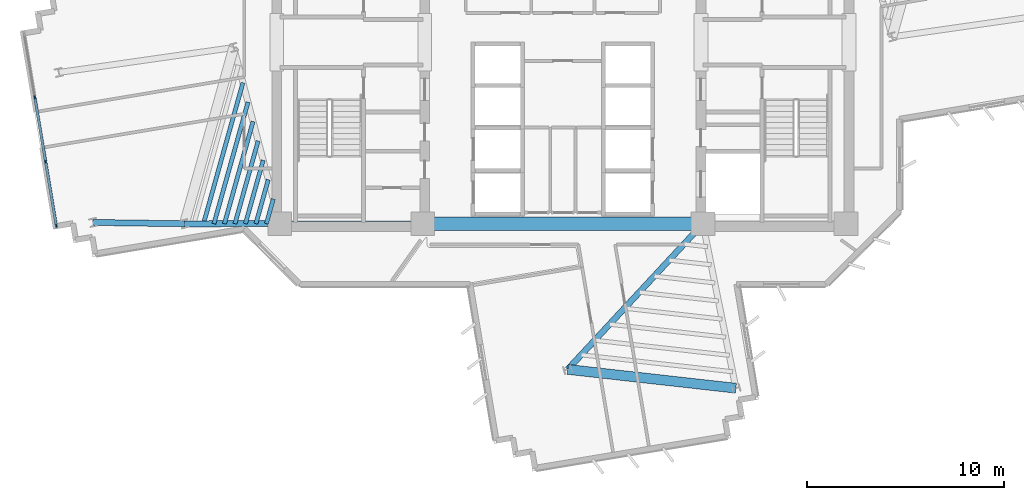
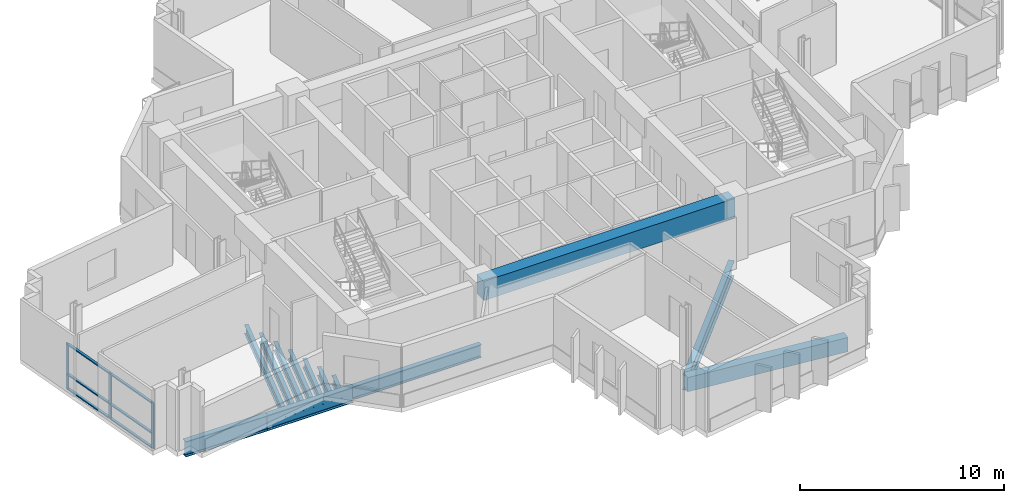
# One storey, part 2 of 15: 13 beams, 9 members, 1 element without a shape of its own.
"""IFC4 building model written with IfcOpenShell, lengths in metres."""

from ifc_helpers import new_model, si_unit, direction, frame, origin, origin_2d, place, context, subcontext, project, spatial, rectangle, i_section, extrude, source, transform, mapped, material, layer, layer_set, material_profile, profile_set, type_object, element, aggregate, save


model = new_model("IFC4")

# Units and contexts
model_context = context("Model", 3, precision=1e-05, world=origin(), true_north=direction((0.0, 1.0)))
body_context = subcontext(model_context, "Body", "Model", "MODEL_VIEW")
ifc_project = project(units=[si_unit("LENGTHUNIT", "METRE"), si_unit("AREAUNIT", "SQUARE_METRE"), si_unit("VOLUMEUNIT", "CUBIC_METRE"), si_unit("PLANEANGLEUNIT", "RADIAN"), si_unit("MASSUNIT", "GRAM", prefix="KILO")], contexts=[model_context])

# Site, building, storey
site_placement = place(None, origin())
site = spatial("IfcSite", under=ifc_project, at=site_placement, CompositionType="ELEMENT")
building_placement = place(site_placement, origin())
building = spatial("IfcBuilding", under=site, at=building_placement, Name="Zahravan Cultural Tower", CompositionType="ELEMENT")
storey_placement = place(building_placement, frame((0.0, 0.0, 135.60009765625)))
storey = spatial("IfcBuildingStorey", under=building, at=storey_placement, Name="L30", CompositionType="ELEMENT", Elevation=135.60009765625)

# Beams
ifc_material_1 = material(Name="Concrete C50/60", Category="concrete")
ifc_material_profile_1 = material_profile(ifc_material_1, rectangle(XDim=0.699951171875, YDim=1.14990234375, at=origin_2d()), Name="RC700X1150")
ifc_profile_set_1 = profile_set([ifc_material_profile_1], Name="Concrete C50/60")
beam_type_1 = type_object("IfcBeamType", Name="BM-LN-RC700X1150", PredefinedType="LINTEL", material=ifc_profile_set_1)
shared_shape_1 = source(origin(), body_context, "Body", "SweptSolid", [
    extrude(rectangle(XDim=0.699951171875, YDim=1.14990234375, at=origin_2d()), origin(), (0.0, 0.0, 1.0), 14.2001953125),
])
beam_1_placement = place(storey_placement, frame((28.89990234375, 17.800048828125, 3.044921875), z_axis=(1.0, 0.0, 0.0), x_axis=(0.0, 1.0, 0.0)))
element("IfcBeam", 1, at=beam_1_placement, inside=storey, type_object=beam_type_1, Name="L30 Beam LN-L30-S", PredefinedType="LINTEL", context=body_context, shape_type="MappedRepresentation", body=[
    mapped(shared_shape_1, transform((0.0, 0.0, 0.0), x_axis=(1.0, 0.0, 0.0), y_axis=(0.0, 1.0, 0.0), z_axis=(0.0, 0.0, 1.0), scale=1.0)),
])
ifc_material_2 = material(Name="Steel ASTM A992 Grade 50", Category="steel")
ifc_material_profile_2 = material_profile(ifc_material_2, i_section(OverallWidth=0.26611328125, OverallDepth=0.780029296875, WebThickness=0.0166015625, FlangeThickness=0.030029296875, FilletRadius=0.01904296875, at=origin_2d()), Name="W30X148")
ifc_profile_set_2 = profile_set([ifc_material_profile_2], Name="Steel ASTM A992 Grade 50")
beam_type_2 = type_object("IfcBeamType", Name="BM-G-W30X148", PredefinedType="BEAM", material=ifc_profile_set_2)
shared_shape_2 = source(origin(), body_context, "Body", "SweptSolid", [
    extrude(i_section(OverallWidth=0.26611328125, OverallDepth=0.780029296875, WebThickness=0.0166015625, FlangeThickness=0.030029296875, FilletRadius=0.01904296875, at=origin_2d()), origin(), (0.0, 0.0, 1.0), 7.25),
])
beam_2_placement = place(storey_placement, frame((21.64990234375, 17.800048828125, -0.670166015625), z_axis=(1.0, 0.0, 0.0), x_axis=(0.0, 1.0, 0.0)))
element("IfcBeam", 2, at=beam_2_placement, inside=storey, type_object=beam_type_2, Name="L30 Beam BG-L30-01", PredefinedType="BEAM", context=body_context, shape_type="MappedRepresentation", body=[
    mapped(shared_shape_2, transform((0.0, 0.0, 0.0), x_axis=(1.0, 0.0, 0.0), y_axis=(0.0, 1.0, 0.0), z_axis=(0.0, 0.0, 1.0), scale=1.0)),
])
ifc_material_profile_3 = material_profile(ifc_material_2, i_section(OverallWidth=0.304931640625, OverallDepth=0.9189453125, WebThickness=0.017333984375, FlangeThickness=0.02783203125, FilletRadius=0.02392578125, at=origin_2d()), Name="W36X170")
ifc_profile_set_3 = profile_set([ifc_material_profile_3], Name="Steel ASTM A992 Grade 50")
beam_type_3 = type_object("IfcBeamType", Name="BM-G-W36X170", PredefinedType="BEAM", material=ifc_profile_set_3)
shared_shape_3 = source(origin(), body_context, "Body", "SweptSolid", [
    extrude(i_section(OverallWidth=0.304931640625, OverallDepth=0.9189453125, WebThickness=0.017333984375, FlangeThickness=0.02783203125, FilletRadius=0.02392578125, at=origin_2d()), origin(), (0.0, 0.0, 1.0), 4.834716796875),
])
beam_3_placement = place(storey_placement, frame((21.64990234375, 17.800048828125, -0.739501953125), z_axis=(-0.99999920313, -0.001262433979, 0.0), x_axis=(0.001262433979, -0.99999920313, 0.0)))
element("IfcBeam", 3, at=beam_3_placement, inside=storey, type_object=beam_type_3, Name="L30 Beam BG-L30-08", PredefinedType="BEAM", context=body_context, shape_type="MappedRepresentation", body=[
    mapped(shared_shape_3, transform((0.0, 0.0, 0.0), x_axis=(1.0, 0.0, 0.0), y_axis=(0.0, 1.0, 0.0), z_axis=(0.0, 0.0, 1.0), scale=1.0)),
])
shared_shape_4 = source(origin(), body_context, "Body", "SweptSolid", [
    extrude(i_section(OverallWidth=0.304931640625, OverallDepth=0.9189453125, WebThickness=0.017333984375, FlangeThickness=0.02783203125, FilletRadius=0.02392578125, at=origin_2d()), origin(), (0.0, 0.0, 1.0), 10.077880859375),
])
beam_4_placement = place(storey_placement, frame((43.10009765625, 17.800048828125, -0.739501953125), z_axis=(-0.680170435587, -0.733054007938, 0.0), x_axis=(0.733054007938, -0.680170435587, 0.0)))
element("IfcBeam", 4, at=beam_4_placement, inside=storey, type_object=beam_type_3, Name="L30 Beam BG-L30-09", PredefinedType="BEAM", context=body_context, shape_type="MappedRepresentation", body=[
    mapped(shared_shape_4, transform((0.0, 0.0, 0.0), x_axis=(1.0, 0.0, 0.0), y_axis=(0.0, 1.0, 0.0), z_axis=(0.0, 0.0, 1.0), scale=1.0)),
])
shared_shape_5 = source(origin(), body_context, "Body", "SweptSolid", [
    extrude(i_section(OverallWidth=0.304931640625, OverallDepth=0.9189453125, WebThickness=0.017333984375, FlangeThickness=0.02783203125, FilletRadius=0.02392578125, at=origin_2d()), origin(), (0.0, 0.0, 1.0), 4.622314453125),
])
beam_5_placement = place(storey_placement, frame((16.815185546875, 17.7939453125, -0.739501953125), z_axis=(-0.999889070044, 0.014894549562, 0.0), x_axis=(-0.014894549562, -0.999889070044, 0.0)))
element("IfcBeam", 5, at=beam_5_placement, inside=storey, type_object=beam_type_3, Name="L30 Beam BG-L30-18", PredefinedType="BEAM", context=body_context, shape_type="MappedRepresentation", body=[
    mapped(shared_shape_5, transform((0.0, 0.0, 0.0), x_axis=(1.0, 0.0, 0.0), y_axis=(0.0, 1.0, 0.0), z_axis=(0.0, 0.0, 1.0), scale=1.0)),
])
ifc_material_profile_4 = material_profile(ifc_material_1, rectangle(XDim=0.5, YDim=0.85009765625, at=origin_2d()), Name="RC500X850")
ifc_profile_set_4 = profile_set([ifc_material_profile_4], Name="Concrete C50/60")
beam_type_4 = type_object("IfcBeamType", Name="BM-SP-RC500X850", PredefinedType="SPANDREL", material=ifc_profile_set_4)
shared_shape_6 = source(origin(), body_context, "Body", "SweptSolid", [
    extrude(rectangle(XDim=0.5, YDim=0.85009765625, at=origin_2d()), origin(), (0.0, 0.0, 1.0), 8.579833984375),
])
beam_6_placement = place(storey_placement, frame((36.245361328125, 10.412353515625, -0.705078125), z_axis=(0.9938040105, -0.11114669907, 0.0), x_axis=(0.11114669907, 0.9938040105, 0.0)))
element("IfcBeam", 6, at=beam_6_placement, inside=storey, type_object=beam_type_4, Name="L30 Beam SP-L30-20", PredefinedType="SPANDREL", context=body_context, shape_type="MappedRepresentation", body=[
    mapped(shared_shape_6, transform((0.0, 0.0, 0.0), x_axis=(1.0, 0.0, 0.0), y_axis=(0.0, 1.0, 0.0), z_axis=(0.0, 0.0, 1.0), scale=1.0)),
])
ifc_material_profile_5 = material_profile(ifc_material_2, i_section(OverallWidth=0.2099609375, OverallDepth=0.532958984375, WebThickness=0.01025390625, FlangeThickness=0.015625, FilletRadius=0.013916015625, at=origin_2d()), Name="W21X62")
ifc_profile_set_5 = profile_set([ifc_material_profile_5], Name="Steel ASTM A992 Grade 50")
beam_type_5 = type_object("IfcBeamType", Name="BM-J-W21X62", PredefinedType="JOIST", material=ifc_profile_set_5)
shared_shape_7 = source(origin(), body_context, "Body", "SweptSolid", [
    extrude(i_section(OverallWidth=0.2099609375, OverallDepth=0.532958984375, WebThickness=0.01025390625, FlangeThickness=0.015625, FilletRadius=0.013916015625, at=origin_2d()), origin(), (0.0, 0.0, 1.0), 1.299072265625),
])
beam_7_placement = place(storey_placement, frame((21.3232421875, 19.050048828125, -0.546630859375), z_axis=(-0.269504444708, -0.962999145525, 0.0), x_axis=(0.962999145525, -0.269504444708, 0.0)))
element("IfcBeam", 7, at=beam_7_placement, inside=storey, type_object=beam_type_5, Name="L30 Beam BJ-L30-24", PredefinedType="JOIST", context=body_context, shape_type="MappedRepresentation", body=[
    mapped(shared_shape_7, transform((0.0, 0.0, 0.0), x_axis=(1.0, 0.0, 0.0), y_axis=(0.0, 1.0, 0.0), z_axis=(0.0, 0.0, 1.0), scale=1.0)),
])
shared_shape_8 = source(origin(), body_context, "Body", "SweptSolid", [
    extrude(i_section(OverallWidth=0.2099609375, OverallDepth=0.532958984375, WebThickness=0.01025390625, FlangeThickness=0.015625, FilletRadius=0.013916015625, at=origin_2d()), origin(), (0.0, 0.0, 1.0), 2.3193359375),
])
beam_8_placement = place(storey_placement, frame((21.06640625, 20.0322265625, -0.546630859375), z_axis=(-0.269462038626, -0.963011012263, 0.0), x_axis=(0.963011012263, -0.269462038626, 0.0)))
element("IfcBeam", 8, at=beam_8_placement, inside=storey, type_object=beam_type_5, Name="L30 Beam BJ-L30-25", PredefinedType="JOIST", context=body_context, shape_type="MappedRepresentation", body=[
    mapped(shared_shape_8, transform((0.0, 0.0, 0.0), x_axis=(1.0, 0.0, 0.0), y_axis=(0.0, 1.0, 0.0), z_axis=(0.0, 0.0, 1.0), scale=1.0)),
])
shared_shape_9 = source(origin(), body_context, "Body", "SweptSolid", [
    extrude(i_section(OverallWidth=0.2099609375, OverallDepth=0.532958984375, WebThickness=0.01025390625, FlangeThickness=0.015625, FilletRadius=0.013916015625, at=origin_2d()), origin(), (0.0, 0.0, 1.0), 3.340087890625),
])
beam_9_placement = place(storey_placement, frame((20.809814453125, 21.014404296875, -0.546630859375), z_axis=(-0.269562146951, -0.962982995141, 0.0), x_axis=(0.962982995141, -0.269562146951, 0.0)))
element("IfcBeam", 9, at=beam_9_placement, inside=storey, type_object=beam_type_5, Name="L30 Beam BJ-L30-26", PredefinedType="JOIST", context=body_context, shape_type="MappedRepresentation", body=[
    mapped(shared_shape_9, transform((0.0, 0.0, 0.0), x_axis=(1.0, 0.0, 0.0), y_axis=(0.0, 1.0, 0.0), z_axis=(0.0, 0.0, 1.0), scale=1.0)),
])
shared_shape_10 = source(origin(), body_context, "Body", "SweptSolid", [
    extrude(i_section(OverallWidth=0.2099609375, OverallDepth=0.532958984375, WebThickness=0.01025390625, FlangeThickness=0.015625, FilletRadius=0.013916015625, at=origin_2d()), origin(), (0.0, 0.0, 1.0), 4.36083984375),
])
beam_10_placement = place(storey_placement, frame((20.552978515625, 21.99658203125, -0.546630859375), z_axis=(-0.269511557673, -0.962997154866, 0.0), x_axis=(0.962997154866, -0.269511557673, 0.0)))
element("IfcBeam", 10, at=beam_10_placement, inside=storey, type_object=beam_type_5, Name="L30 Beam BJ-L30-27", PredefinedType="JOIST", context=body_context, shape_type="MappedRepresentation", body=[
    mapped(shared_shape_10, transform((0.0, 0.0, 0.0), x_axis=(1.0, 0.0, 0.0), y_axis=(0.0, 1.0, 0.0), z_axis=(0.0, 0.0, 1.0), scale=1.0)),
])
shared_shape_11 = source(origin(), body_context, "Body", "SweptSolid", [
    extrude(i_section(OverallWidth=0.2099609375, OverallDepth=0.532958984375, WebThickness=0.01025390625, FlangeThickness=0.015625, FilletRadius=0.013916015625, at=origin_2d()), origin(), (0.0, 0.0, 1.0), 5.3818359375),
])
beam_11_placement = place(storey_placement, frame((20.296142578125, 22.97900390625, -0.546630859375), z_axis=(-0.269510454638, -0.962997463569, 0.0), x_axis=(0.962997463569, -0.269510454638, 0.0)))
element("IfcBeam", 11, at=beam_11_placement, inside=storey, type_object=beam_type_5, Name="L30 Beam BJ-L30-28", PredefinedType="JOIST", context=body_context, shape_type="MappedRepresentation", body=[
    mapped(shared_shape_11, transform((0.0, 0.0, 0.0), x_axis=(1.0, 0.0, 0.0), y_axis=(0.0, 1.0, 0.0), z_axis=(0.0, 0.0, 1.0), scale=1.0)),
])
shared_shape_12 = source(origin(), body_context, "Body", "SweptSolid", [
    extrude(i_section(OverallWidth=0.2099609375, OverallDepth=0.532958984375, WebThickness=0.01025390625, FlangeThickness=0.015625, FilletRadius=0.013916015625, at=origin_2d()), origin(), (0.0, 0.0, 1.0), 6.402099609375),
])
beam_12_placement = place(storey_placement, frame((20.039306640625, 23.961181640625, -0.546630859375), z_axis=(-0.269494133533, -0.963002031146, 0.0), x_axis=(0.963002031146, -0.269494133533, 0.0)))
element("IfcBeam", 12, at=beam_12_placement, inside=storey, type_object=beam_type_5, Name="L30 Beam BJ-L30-29", PredefinedType="JOIST", context=body_context, shape_type="MappedRepresentation", body=[
    mapped(shared_shape_12, transform((0.0, 0.0, 0.0), x_axis=(1.0, 0.0, 0.0), y_axis=(0.0, 1.0, 0.0), z_axis=(0.0, 0.0, 1.0), scale=1.0)),
])
shared_shape_13 = source(origin(), body_context, "Body", "SweptSolid", [
    extrude(i_section(OverallWidth=0.2099609375, OverallDepth=0.532958984375, WebThickness=0.01025390625, FlangeThickness=0.015625, FilletRadius=0.013916015625, at=origin_2d()), origin(), (0.0, 0.0, 1.0), 7.4228515625),
])
beam_13_placement = place(storey_placement, frame((19.78271484375, 24.943359375, -0.546630859375), z_axis=(-0.269504266128, -0.962999195503, 0.0), x_axis=(0.962999195503, -0.269504266128, 0.0)))
element("IfcBeam", 13, at=beam_13_placement, inside=storey, type_object=beam_type_5, Name="L30 Beam BJ-L30-30", PredefinedType="JOIST", context=body_context, shape_type="MappedRepresentation", body=[
    mapped(shared_shape_13, transform((0.0, 0.0, 0.0), x_axis=(1.0, 0.0, 0.0), y_axis=(0.0, 1.0, 0.0), z_axis=(0.0, 0.0, 1.0), scale=1.0)),
])

# Curtain wall, members
ifc_material_3 = material(Name="Anodised bronze-aluminium mullion", Category="aluminium")
ifc_layer = layer(ifc_material_3, 0.179931640625)
ifc_layer_set = layer_set([ifc_layer], Name="Anodised bronze-aluminium mullion")
curtain_wall_type = type_object("IfcCurtainWallType", Name="CW-SYS-3", PredefinedType="USERDEFINED", material=ifc_layer_set)
curtain_wall_placement = place(storey_placement, origin())
curtain_wall = element("IfcCurtainWall", 14, at=curtain_wall_placement, inside=storey, type_object=curtain_wall_type, Name="L30 Recessed Curtain Wall CW-3.2", ObjectType="RECESSED GLAZING", PredefinedType="USERDEFINED")
ifc_material_profile_6 = material_profile(ifc_material_3, rectangle(XDim=0.070068359375, YDim=0.179931640625, at=origin_2d()), Name="AL-M70X180")
ifc_profile_set_6 = profile_set([ifc_material_profile_6], Name="Anodised bronze-aluminium mullion")
member_type_1 = type_object("IfcMemberType", Name="CWM-CW-3", PredefinedType="MULLION", material=ifc_profile_set_6)
shared_shape_14 = source(origin(), body_context, "Body", "SweptSolid", [
    extrude(rectangle(XDim=0.070068359375, YDim=0.179931640625, at=origin_2d()), origin(), (0.0, 0.0, 1.0), 2.739990234375),
])
member_1_placement = place(storey_placement, frame((10.3212890625, 17.70947265625, 0.0), z_axis=(0.0, 0.0, 1.0), x_axis=(-0.986285000163, -0.165051199491, 0.0)))
member_1 = element("IfcMember", 15, at=member_1_placement, type_object=member_type_1, Name="CW-3 mullion 1", PredefinedType="MULLION", context=body_context, shape_type="MappedRepresentation", body=[
    mapped(shared_shape_14, transform((0.0, 0.0, 0.0), x_axis=(1.0, 0.0, 0.0), y_axis=(0.0, 1.0, 0.0), z_axis=(0.0, 0.0, 1.0), scale=1.0)),
])
member_2_placement = place(storey_placement, frame((9.78125, 20.936279296875, 0.0), z_axis=(0.0, 0.0, 1.0), x_axis=(-0.986285000163, -0.165051199491, 0.0)))
member_2 = element("IfcMember", 16, at=member_2_placement, type_object=member_type_1, Name="CW-3 mullion 2", PredefinedType="MULLION", context=body_context, shape_type="MappedRepresentation", body=[
    mapped(shared_shape_14, transform((0.0, 0.0, 0.0), x_axis=(1.0, 0.0, 0.0), y_axis=(0.0, 1.0, 0.0), z_axis=(0.0, 0.0, 1.0), scale=1.0)),
])
member_3_placement = place(storey_placement, frame((9.2353515625, 24.197509765625, 0.0), z_axis=(0.0, 0.0, 1.0), x_axis=(-0.986285000163, -0.165051199491, 0.0)))
member_3 = element("IfcMember", 17, at=member_3_placement, type_object=member_type_1, Name="CW-3 mullion 3", PredefinedType="MULLION", context=body_context, shape_type="MappedRepresentation", body=[
    mapped(shared_shape_14, transform((0.0, 0.0, 0.0), x_axis=(1.0, 0.0, 0.0), y_axis=(0.0, 1.0, 0.0), z_axis=(0.0, 0.0, 1.0), scale=1.0)),
])
ifc_material_profile_7 = material_profile(ifc_material_3, rectangle(XDim=0.139892578125, YDim=0.070068359375, at=origin_2d()), Name="AL-T70X140")
ifc_profile_set_7 = profile_set([ifc_material_profile_7], Name="Anodised bronze-aluminium mullion")
member_type_2 = type_object("IfcMemberType", Name="CWT-CW-3", PredefinedType="USERDEFINED", material=ifc_profile_set_7)
shared_shape_15 = source(origin(), body_context, "Body", "SweptSolid", [
    extrude(rectangle(XDim=0.139892578125, YDim=0.070068359375, at=origin_2d()), origin(), (0.0, 0.0, 1.0), 3.20166015625),
])
member_4_placement = place(storey_placement, frame((10.3154296875, 17.743896484375, 0.034912109375), z_axis=(-0.165017244129, 0.986290681868, 0.0), x_axis=(-0.986290681868, -0.165017244129, 0.0)))
member_4 = element("IfcMember", 18, at=member_4_placement, type_object=member_type_2, Name="CW-3 transom 1.1", ObjectType="TRANSOM", PredefinedType="USERDEFINED", context=body_context, shape_type="MappedRepresentation", body=[
    mapped(shared_shape_15, transform((0.0, 0.0, 0.0), x_axis=(1.0, 0.0, 0.0), y_axis=(0.0, 1.0, 0.0), z_axis=(0.0, 0.0, 1.0), scale=1.0)),
])
member_5_placement = place(storey_placement, frame((10.3154296875, 17.743896484375, 0.89990234375), z_axis=(-0.165017244129, 0.986290681868, 0.0), x_axis=(-0.986290681868, -0.165017244129, 0.0)))
member_5 = element("IfcMember", 19, at=member_5_placement, type_object=member_type_2, Name="CW-3 transom 1.2", ObjectType="TRANSOM", PredefinedType="USERDEFINED", context=body_context, shape_type="MappedRepresentation", body=[
    mapped(shared_shape_15, transform((0.0, 0.0, 0.0), x_axis=(1.0, 0.0, 0.0), y_axis=(0.0, 1.0, 0.0), z_axis=(0.0, 0.0, 1.0), scale=1.0)),
])
member_6_placement = place(storey_placement, frame((10.3154296875, 17.743896484375, 2.704833984375), z_axis=(-0.165017244129, 0.986290681868, 0.0), x_axis=(-0.986290681868, -0.165017244129, 0.0)))
member_6 = element("IfcMember", 20, at=member_6_placement, type_object=member_type_2, Name="CW-3 transom 1.3", ObjectType="TRANSOM", PredefinedType="USERDEFINED", context=body_context, shape_type="MappedRepresentation", body=[
    mapped(shared_shape_15, transform((0.0, 0.0, 0.0), x_axis=(1.0, 0.0, 0.0), y_axis=(0.0, 1.0, 0.0), z_axis=(0.0, 0.0, 1.0), scale=1.0)),
])
shared_shape_16 = source(origin(), body_context, "Body", "SweptSolid", [
    extrude(rectangle(XDim=0.139892578125, YDim=0.070068359375, at=origin_2d()), origin(), (0.0, 0.0, 1.0), 3.23681640625),
])
member_7_placement = place(storey_placement, frame((9.775390625, 20.970703125, 0.034912109375), z_axis=(-0.165034988957, 0.9862877128, 0.0), x_axis=(-0.9862877128, -0.165034988957, 0.0)))
member_7 = element("IfcMember", 21, at=member_7_placement, type_object=member_type_2, Name="CW-3 transom 2.1", ObjectType="TRANSOM", PredefinedType="USERDEFINED", context=body_context, shape_type="MappedRepresentation", body=[
    mapped(shared_shape_16, transform((0.0, 0.0, 0.0), x_axis=(1.0, 0.0, 0.0), y_axis=(0.0, 1.0, 0.0), z_axis=(0.0, 0.0, 1.0), scale=1.0)),
])
member_8_placement = place(storey_placement, frame((9.775390625, 20.970703125, 0.89990234375), z_axis=(-0.165034988957, 0.9862877128, 0.0), x_axis=(-0.9862877128, -0.165034988957, 0.0)))
member_8 = element("IfcMember", 22, at=member_8_placement, type_object=member_type_2, Name="CW-3 transom 2.2", ObjectType="TRANSOM", PredefinedType="USERDEFINED", context=body_context, shape_type="MappedRepresentation", body=[
    mapped(shared_shape_16, transform((0.0, 0.0, 0.0), x_axis=(1.0, 0.0, 0.0), y_axis=(0.0, 1.0, 0.0), z_axis=(0.0, 0.0, 1.0), scale=1.0)),
])
member_9_placement = place(storey_placement, frame((9.775390625, 20.970703125, 2.704833984375), z_axis=(-0.165034988957, 0.9862877128, 0.0), x_axis=(-0.9862877128, -0.165034988957, 0.0)))
member_9 = element("IfcMember", 23, at=member_9_placement, type_object=member_type_2, Name="CW-3 transom 2.3", ObjectType="TRANSOM", PredefinedType="USERDEFINED", context=body_context, shape_type="MappedRepresentation", body=[
    mapped(shared_shape_16, transform((0.0, 0.0, 0.0), x_axis=(1.0, 0.0, 0.0), y_axis=(0.0, 1.0, 0.0), z_axis=(0.0, 0.0, 1.0), scale=1.0)),
])
aggregate(curtain_wall, [member_1, member_2, member_3, member_4, member_5, member_6, member_7, member_8, member_9])

save(model, "model.ifc")
